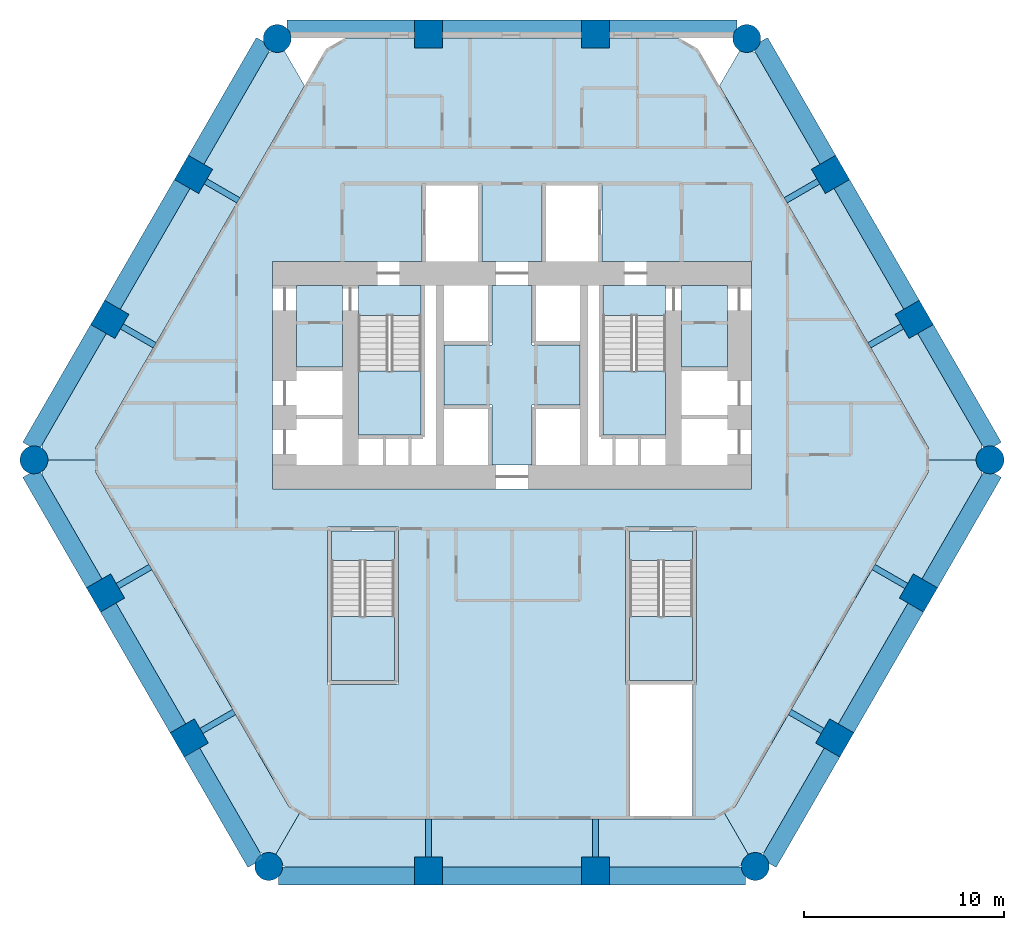
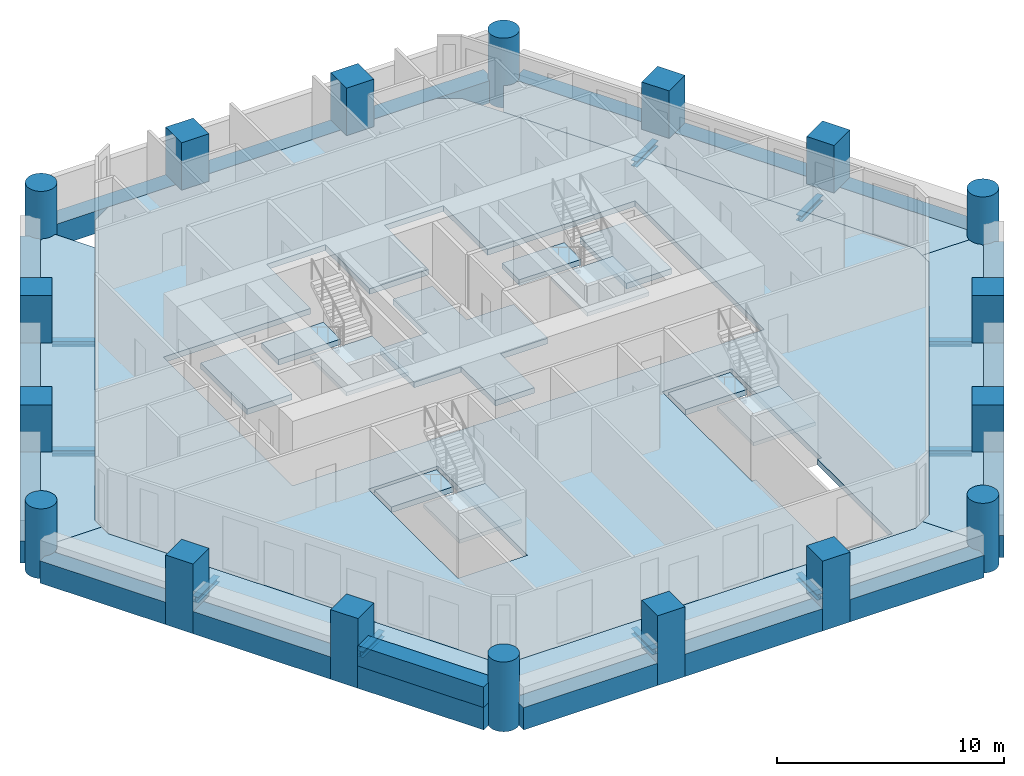
# One storey, part 1 of 8: 28 beams, 18 columns, 17 slabs, 1 wall, 4 elements without a shape of their own.
"""IFC4 building model written with IfcOpenShell, lengths in metres."""

from ifc_helpers import new_model, si_unit, direction, frame, frame_2d, origin, origin_2d, place, context, subcontext, project, spatial, polyline, rectangle, circle, i_section, outline, extrude, material, layer, layer_set, material_profile, profile_set, type_object, element, aggregate, save


model = new_model("IFC4")

# Units and contexts
model_context = context("Model", 3, precision=1e-05, world=origin(), true_north=direction((0.0, 1.0)))
body_context = subcontext(model_context, "Body", "Model", "MODEL_VIEW")
ifc_project = project(units=[si_unit("LENGTHUNIT", "METRE"), si_unit("AREAUNIT", "SQUARE_METRE"), si_unit("VOLUMEUNIT", "CUBIC_METRE"), si_unit("PLANEANGLEUNIT", "RADIAN"), si_unit("MASSUNIT", "GRAM", prefix="KILO")], contexts=[model_context])

# Site, building, storey
site_placement = place(None, origin())
site = spatial("IfcSite", under=ifc_project, at=site_placement, CompositionType="ELEMENT")
building_placement = place(site_placement, origin())
building = spatial("IfcBuilding", under=site, at=building_placement, Name="Ostrander Bayou Hotel Tower", CompositionType="ELEMENT")
storey_placement = place(building_placement, frame((0.0, 0.0, 39.25)))
storey = spatial("IfcBuildingStorey", under=building, at=storey_placement, Name="L09", CompositionType="ELEMENT", Elevation=39.25)

# Columns
ifc_material_1 = material(Name="Concrete f'c 70 MPa", Category="concrete")
ifc_material_profile_1 = material_profile(ifc_material_1, circle(Radius=0.699951171875, at=origin_2d()))
ifc_profile_set_1 = profile_set([ifc_material_profile_1], Name="Concrete f'c 70 MPa")
column_type_1 = type_object("IfcColumnType", Name="C1 round column 1400 mm f'c 70 MPa", PredefinedType="COLUMN", material=ifc_profile_set_1)
for number, where, z_axis, x_axis, name in (
    (1, (-11.76708984375, 20.872314453125, -1.199951171875), (0.0, 0.0, 1.0), (1.0, 0.0, 0.0), "C1 L09 K0"),
    (2, (-23.95947265625, -0.24560546875, -1.199951171875), (0.0, 0.0, 1.0), (1.0, 0.0, 0.0), "C1 L09 K1"),
    (3, (-12.1923828125, -20.626708984375, -1.199951171875), (0.0, 0.0, 1.0), (1.0, 0.0, 0.0), "C1 L09 K2"),
    (4, (12.1923828125, -20.626708984375, -1.199951171875), (0.0, 0.0, 1.0), (1.0, 0.0, 0.0), "C1 L09 K3"),
    (5, (23.95947265625, -0.24560546875, -1.199951171875), (0.0, 0.0, 1.0), (1.0, 0.0, 0.0), "C1 L09 K4"),
    (6, (11.76708984375, 20.872314453125, -1.199951171875), (0.0, 0.0, 1.0), (1.0, 0.0, 0.0), "C1 L09 K5"),
):
    element("IfcColumn", number, at=place(storey_placement, frame(where, z_axis=z_axis, x_axis=x_axis)), inside=storey, type_object=column_type_1, Name=name, PredefinedType="COLUMN", context=body_context, shape_type="SweptSolid", body=[
        extrude(circle(Radius=0.699951171875, at=origin_2d()), origin(), (0.0, 0.0, 1.0), 3.75),
    ])
ifc_material_2 = material(Name="Concrete f'c 70 MPa", Category="concrete")
ifc_material_profile_2 = material_profile(ifc_material_2, rectangle(XDim=1.39990234375, YDim=1.39990234375, at=origin_2d()))
ifc_profile_set_2 = profile_set([ifc_material_profile_2], Name="Concrete f'c 70 MPa")
column_type_2 = type_object("IfcColumnType", Name="C2 square column 1400 x 1400 mm f'c 70 MPa", PredefinedType="COLUMN", material=ifc_profile_set_2)
for number, where, z_axis, x_axis, name in (
    (7, (4.1953125, 21.10009765625, -1.199951171875), (0.0, 0.0, 1.0), (1.0, 0.0, 0.0), "C2 L09 N1"),
    (8, (-4.1953125, 21.10009765625, -1.199951171875), (0.0, 0.0, 1.0), (1.0, 0.0, 0.0), "C2 L09 N2"),
    (9, (-15.962890625, 14.060546875, -1.199951171875), (0.0, 0.0, 1.0), (0.5, 0.866025403784, 0.0), "C2 L09 NW1"),
    (10, (-20.158203125, 6.7939453125, -1.199951171875), (0.0, 0.0, 1.0), (0.5, 0.866025403784, 0.0), "C2 L09 NW2"),
    (11, (-20.370849609375, -6.916748046875, -1.199951171875), (0.0, 0.0, 1.0), (-0.5, 0.866025403784, 0.0), "C2 L09 SW1"),
    (12, (-16.17529296875, -14.183349609375, -1.199951171875), (0.0, 0.0, 1.0), (-0.5, 0.866025403784, 0.0), "C2 L09 SW2"),
    (13, (-4.1953125, -20.8544921875, -1.199951171875), (0.0, 0.0, 1.0), (-1.0, 0.0, 0.0), "C2 L09 S1"),
    (14, (4.1953125, -20.8544921875, -1.199951171875), (0.0, 0.0, 1.0), (-1.0, 0.0, 0.0), "C2 L09 S2"),
    (15, (16.17529296875, -14.183349609375, -1.199951171875), (0.0, 0.0, 1.0), (-0.5, -0.866025403784, 0.0), "C2 L09 SE1"),
    (16, (20.370849609375, -6.916748046875, -1.199951171875), (0.0, 0.0, 1.0), (-0.5, -0.866025403784, 0.0), "C2 L09 SE2"),
    (17, (20.158203125, 6.7939453125, -1.199951171875), (0.0, 0.0, 1.0), (0.5, -0.866025403784, 0.0), "C2 L09 NE1"),
    (18, (15.962890625, 14.060546875, -1.199951171875), (0.0, 0.0, 1.0), (0.5, -0.866025403784, 0.0), "C2 L09 NE2"),
):
    element("IfcColumn", number, at=place(storey_placement, frame(where, z_axis=z_axis, x_axis=x_axis)), inside=storey, type_object=column_type_2, Name=name, PredefinedType="COLUMN", context=body_context, shape_type="SweptSolid", body=[
        extrude(rectangle(XDim=1.39990234375, YDim=1.39990234375, at=origin_2d()), origin(), (0.0, 0.0, 1.0), 3.75),
    ])

# Beams
ifc_material_3 = material(Name="Steel ASTM A992", Category="steel")
ifc_material_profile_3 = material_profile(ifc_material_3, i_section(OverallWidth=0.3046875, OverallDepth=0.307861328125, WebThickness=0.010009765625, FlangeThickness=0.015380859375, at=origin_2d()))
ifc_profile_set_3 = profile_set([ifc_material_profile_3], Name="Steel ASTM A992")
beam_type_1 = type_object("IfcBeamType", Name="LB1 loggia bracket W12x65", PredefinedType="BEAM", material=ifc_profile_set_3)
for number, where, z_axis, x_axis, name in (
    (19, (-15.356689453125, 13.710693359375, -0.453857421875), (0.865988727248, -0.500063520245, 0.0), (0.500063520245, 0.865988727248, 0.0), "LB1 L09 NW1"),
    (20, (-19.552001953125, 6.44384765625, -0.453857421875), (0.866044365799, -0.499967155389, 0.0), (0.499967155389, 0.866044365799, 0.0), "LB1 L09 NW2"),
    (21, (-19.7646484375, -6.566650390625, -0.453857421875), (0.866044365799, 0.499967155389, 0.0), (-0.499967155389, 0.866044365799, 0.0), "LB1 L09 SW1"),
):
    element("IfcBeam", number, at=place(storey_placement, frame(where, z_axis=z_axis, x_axis=x_axis)), inside=storey, type_object=beam_type_1, Name=name, PredefinedType="BEAM", context=body_context, shape_type="SweptSolid", body=[
        extrude(i_section(OverallWidth=0.3046875, OverallDepth=0.307861328125, WebThickness=0.010009765625, FlangeThickness=0.015380859375, at=origin_2d()), origin(), (0.0, 0.0, 1.0), 1.900146484375),
    ])
beam_1_placement = place(storey_placement, frame((-15.569091796875, -13.833251953125, -0.453857421875), z_axis=(0.86601224135, 0.500022797313, 0.0), x_axis=(-0.500022797313, 0.86601224135, 0.0)))
element("IfcBeam", 22, at=beam_1_placement, inside=storey, type_object=beam_type_1, Name="LB1 L09 SW2", PredefinedType="BEAM", context=body_context, shape_type="SweptSolid", body=[
    extrude(i_section(OverallWidth=0.3046875, OverallDepth=0.307861328125, WebThickness=0.010009765625, FlangeThickness=0.015380859375, at=origin_2d()), origin(), (0.0, 0.0, 1.0), 1.89990234375),
])
for number, where, z_axis, x_axis, name in (
    (23, (-4.1953125, -20.154541015625, -0.453857421875), (0.0, 1.0, 0.0), (-1.0, 0.0, 0.0), "LB1 L09 S1"),
    (24, (4.1953125, -20.154541015625, -0.453857421875), (0.0, 1.0, 0.0), (-1.0, 0.0, 0.0), "LB1 L09 S2"),
):
    element("IfcBeam", number, at=place(storey_placement, frame(where, z_axis=z_axis, x_axis=x_axis)), inside=storey, type_object=beam_type_1, Name=name, PredefinedType="BEAM", context=body_context, shape_type="SweptSolid", body=[
        extrude(i_section(OverallWidth=0.3046875, OverallDepth=0.307861328125, WebThickness=0.010009765625, FlangeThickness=0.015380859375, at=origin_2d()), origin(), (0.0, 0.0, 1.0), 1.900146484375),
    ])
beam_2_placement = place(storey_placement, frame((15.569091796875, -13.833251953125, -0.453857421875), z_axis=(-0.86601224135, 0.500022797313, 0.0), x_axis=(-0.500022797313, -0.86601224135, 0.0)))
element("IfcBeam", 25, at=beam_2_placement, inside=storey, type_object=beam_type_1, Name="LB1 L09 SE1", PredefinedType="BEAM", context=body_context, shape_type="SweptSolid", body=[
    extrude(i_section(OverallWidth=0.3046875, OverallDepth=0.307861328125, WebThickness=0.010009765625, FlangeThickness=0.015380859375, at=origin_2d()), origin(), (0.0, 0.0, 1.0), 1.89990234375),
])
for number, where, z_axis, x_axis, name in (
    (26, (19.7646484375, -6.566650390625, -0.453857421875), (-0.866044365799, 0.499967155389, 0.0), (-0.499967155389, -0.866044365799, 0.0), "LB1 L09 SE2"),
    (27, (19.552001953125, 6.44384765625, -0.453857421875), (-0.866044365799, -0.499967155389, 0.0), (0.499967155389, -0.866044365799, 0.0), "LB1 L09 NE1"),
    (28, (15.356689453125, 13.710693359375, -0.453857421875), (-0.865988727248, -0.500063520245, 0.0), (0.500063520245, -0.865988727248, 0.0), "LB1 L09 NE2"),
):
    element("IfcBeam", number, at=place(storey_placement, frame(where, z_axis=z_axis, x_axis=x_axis)), inside=storey, type_object=beam_type_1, Name=name, PredefinedType="BEAM", context=body_context, shape_type="SweptSolid", body=[
        extrude(i_section(OverallWidth=0.3046875, OverallDepth=0.307861328125, WebThickness=0.010009765625, FlangeThickness=0.015380859375, at=origin_2d()), origin(), (0.0, 0.0, 1.0), 1.900146484375),
    ])
ifc_material_4 = material(Name="Concrete f'c 70 MPa", Category="concrete")
ifc_material_profile_4 = material_profile(ifc_material_4, rectangle(XDim=0.89990234375, YDim=1.199951171875, at=origin_2d()))
ifc_profile_set_4 = profile_set([ifc_material_profile_4], Name="Concrete f'c 70 MPa")
beam_type_2 = type_object("IfcBeamType", Name="SP1 spandrel beam 900 x 1200 mm f'c 70 MPa", PredefinedType="SPANDREL", material=ifc_profile_set_4)
beam_3_placement = place(storey_placement, frame((11.285400390625, 21.35009765625, -0.60009765625), z_axis=(-1.0, 0.0, 0.0), x_axis=(0.0, -1.0, 0.0)))
element("IfcBeam", 29, at=beam_3_placement, inside=storey, type_object=beam_type_2, Name="SP1 L09 N-1", PredefinedType="SPANDREL", context=body_context, shape_type="SweptSolid", body=[
    extrude(rectangle(XDim=0.89990234375, YDim=1.199951171875, at=origin_2d()), origin(), (0.0, 0.0, 1.0), 6.419921875),
])
beam_4_placement = place(storey_placement, frame((3.525390625, 21.35009765625, -0.60009765625), z_axis=(-1.0, 0.0, 0.0), x_axis=(0.0, -1.0, 0.0)))
element("IfcBeam", 30, at=beam_4_placement, inside=storey, type_object=beam_type_2, Name="SP1 L09 N-2", PredefinedType="SPANDREL", context=body_context, shape_type="SweptSolid", body=[
    extrude(rectangle(XDim=0.89990234375, YDim=1.199951171875, at=origin_2d()), origin(), (0.0, 0.0, 1.0), 7.05078125),
])
beam_5_placement = place(storey_placement, frame((-4.865478515625, 21.35009765625, -0.60009765625), z_axis=(-1.0, 0.0, 0.0), x_axis=(0.0, -1.0, 0.0)))
element("IfcBeam", 31, at=beam_5_placement, inside=storey, type_object=beam_type_2, Name="SP1 L09 N-3", PredefinedType="SPANDREL", context=body_context, shape_type="SweptSolid", body=[
    extrude(rectangle(XDim=0.89990234375, YDim=1.199951171875, at=origin_2d()), origin(), (0.0, 0.0, 1.0), 6.419921875),
])
beam_6_placement = place(storey_placement, frame((-12.421630859375, 20.694091796875, -0.60009765625), z_axis=(-0.499994135611, -0.866028789565, 0.0), x_axis=(0.866028789565, -0.499994135611, 0.0)))
element("IfcBeam", 32, at=beam_6_placement, inside=storey, type_object=beam_type_2, Name="SP1 L09 NW-1", PredefinedType="SPANDREL", context=body_context, shape_type="SweptSolid", body=[
    extrude(rectangle(XDim=0.89990234375, YDim=1.199951171875, at=origin_2d()), origin(), (0.0, 0.0, 1.0), 6.84521484375),
])
beam_7_placement = place(storey_placement, frame((-16.514404296875, 13.60546875, -0.60009765625), z_axis=(-0.499997206141, -0.866027016814, 0.0), x_axis=(0.866027016814, -0.499997206141, 0.0)))
element("IfcBeam", 33, at=beam_7_placement, inside=storey, type_object=beam_type_2, Name="SP1 L09 NW-2", PredefinedType="SPANDREL", context=body_context, shape_type="SweptSolid", body=[
    extrude(rectangle(XDim=0.89990234375, YDim=1.199951171875, at=origin_2d()), origin(), (0.0, 0.0, 1.0), 7.05078125),
])
beam_8_placement = place(storey_placement, frame((-20.709716796875, 6.338623046875, -0.60009765625), z_axis=(-0.499994135611, -0.866028789565, 0.0), x_axis=(0.866028789565, -0.499994135611, 0.0)))
element("IfcBeam", 34, at=beam_8_placement, inside=storey, type_object=beam_type_2, Name="SP1 L09 NW-3", PredefinedType="SPANDREL", context=body_context, shape_type="SweptSolid", body=[
    extrude(rectangle(XDim=0.89990234375, YDim=1.199951171875, at=origin_2d()), origin(), (0.0, 0.0, 1.0), 6.84521484375),
])
beam_9_placement = place(storey_placement, frame((-24.13232421875, -0.9013671875, -0.60009765625), z_axis=(0.499983599745, -0.866034872269, 0.0), x_axis=(0.866034872269, 0.499983599745, 0.0)))
element("IfcBeam", 35, at=beam_9_placement, inside=storey, type_object=beam_type_2, Name="SP1 L09 SW-1", PredefinedType="SPANDREL", context=body_context, shape_type="SweptSolid", body=[
    extrude(rectangle(XDim=0.89990234375, YDim=1.199951171875, at=origin_2d()), origin(), (0.0, 0.0, 1.0), 6.420166015625),
])
beam_10_placement = place(storey_placement, frame((-20.252197265625, -7.621826171875, -0.60009765625), z_axis=(0.499997206141, -0.866027016814, 0.0), x_axis=(0.866027016814, 0.499997206141, 0.0)))
element("IfcBeam", 36, at=beam_10_placement, inside=storey, type_object=beam_type_2, Name="SP1 L09 SW-2", PredefinedType="SPANDREL", context=body_context, shape_type="SweptSolid", body=[
    extrude(rectangle(XDim=0.89990234375, YDim=1.199951171875, at=origin_2d()), origin(), (0.0, 0.0, 1.0), 7.05078125),
])
beam_11_placement = place(storey_placement, frame((-16.056884765625, -14.888671875, -0.60009765625), z_axis=(0.500000066162, -0.866025365586, 0.0), x_axis=(0.866025365586, 0.500000066162, 0.0)))
element("IfcBeam", 37, at=beam_11_placement, inside=storey, type_object=beam_type_2, Name="SP1 L09 SW-3", PredefinedType="SPANDREL", context=body_context, shape_type="SweptSolid", body=[
    extrude(rectangle(XDim=0.89990234375, YDim=1.199951171875, at=origin_2d()), origin(), (0.0, 0.0, 1.0), 6.419921875),
])
beam_12_placement = place(storey_placement, frame((-11.710693359375, -21.1044921875, -0.60009765625), z_axis=(1.0, 0.0, 0.0), x_axis=(0.0, 1.0, 0.0)))
element("IfcBeam", 38, at=beam_12_placement, inside=storey, type_object=beam_type_2, Name="SP1 L09 S-1", PredefinedType="SPANDREL", context=body_context, shape_type="SweptSolid", body=[
    extrude(rectangle(XDim=0.89990234375, YDim=1.199951171875, at=origin_2d()), origin(), (0.0, 0.0, 1.0), 6.84521484375),
])
beam_13_placement = place(storey_placement, frame((-3.525390625, -21.1044921875, -0.60009765625), z_axis=(1.0, 0.0, 0.0), x_axis=(0.0, 1.0, 0.0)))
element("IfcBeam", 39, at=beam_13_placement, inside=storey, type_object=beam_type_2, Name="SP1 L09 S-2", PredefinedType="SPANDREL", context=body_context, shape_type="SweptSolid", body=[
    extrude(rectangle(XDim=0.89990234375, YDim=1.199951171875, at=origin_2d()), origin(), (0.0, 0.0, 1.0), 7.05078125),
])
beam_14_placement = place(storey_placement, frame((4.865478515625, -21.1044921875, -0.60009765625), z_axis=(1.0, 0.0, 0.0), x_axis=(0.0, 1.0, 0.0)))
element("IfcBeam", 40, at=beam_14_placement, inside=storey, type_object=beam_type_2, Name="SP1 L09 S-3", PredefinedType="SPANDREL", context=body_context, shape_type="SweptSolid", body=[
    extrude(rectangle(XDim=0.89990234375, YDim=1.199951171875, at=origin_2d()), origin(), (0.0, 0.0, 1.0), 6.84521484375),
])
beam_15_placement = place(storey_placement, frame((12.846923828125, -20.448486328125, -0.60009765625), z_axis=(0.500000066162, 0.866025365586, 0.0), x_axis=(-0.866025365586, 0.500000066162, 0.0)))
element("IfcBeam", 41, at=beam_15_placement, inside=storey, type_object=beam_type_2, Name="SP1 L09 SE-1", PredefinedType="SPANDREL", context=body_context, shape_type="SweptSolid", body=[
    extrude(rectangle(XDim=0.89990234375, YDim=1.199951171875, at=origin_2d()), origin(), (0.0, 0.0, 1.0), 6.419921875),
])
beam_16_placement = place(storey_placement, frame((16.726806640625, -13.72802734375, -0.60009765625), z_axis=(0.499997206141, 0.866027016814, 0.0), x_axis=(-0.866027016814, 0.499997206141, 0.0)))
element("IfcBeam", 42, at=beam_16_placement, inside=storey, type_object=beam_type_2, Name="SP1 L09 SE-2", PredefinedType="SPANDREL", context=body_context, shape_type="SweptSolid", body=[
    extrude(rectangle(XDim=0.89990234375, YDim=1.199951171875, at=origin_2d()), origin(), (0.0, 0.0, 1.0), 7.05078125),
])
beam_17_placement = place(storey_placement, frame((20.92236328125, -6.46142578125, -0.60009765625), z_axis=(0.499983599745, 0.866034872269, 0.0), x_axis=(-0.866034872269, 0.499983599745, 0.0)))
element("IfcBeam", 43, at=beam_17_placement, inside=storey, type_object=beam_type_2, Name="SP1 L09 SE-3", PredefinedType="SPANDREL", context=body_context, shape_type="SweptSolid", body=[
    extrude(rectangle(XDim=0.89990234375, YDim=1.199951171875, at=origin_2d()), origin(), (0.0, 0.0, 1.0), 6.420166015625),
])
beam_18_placement = place(storey_placement, frame((24.13232421875, 0.410400390625, -0.60009765625), z_axis=(-0.499994135611, 0.866028789565, 0.0), x_axis=(-0.866028789565, -0.499994135611, 0.0)))
element("IfcBeam", 44, at=beam_18_placement, inside=storey, type_object=beam_type_2, Name="SP1 L09 NE-1", PredefinedType="SPANDREL", context=body_context, shape_type="SweptSolid", body=[
    extrude(rectangle(XDim=0.89990234375, YDim=1.199951171875, at=origin_2d()), origin(), (0.0, 0.0, 1.0), 6.84521484375),
])
beam_19_placement = place(storey_placement, frame((20.039794921875, 7.499267578125, -0.60009765625), z_axis=(-0.499997206141, 0.866027016814, 0.0), x_axis=(-0.866027016814, -0.499997206141, 0.0)))
element("IfcBeam", 45, at=beam_19_placement, inside=storey, type_object=beam_type_2, Name="SP1 L09 NE-2", PredefinedType="SPANDREL", context=body_context, shape_type="SweptSolid", body=[
    extrude(rectangle(XDim=0.89990234375, YDim=1.199951171875, at=origin_2d()), origin(), (0.0, 0.0, 1.0), 7.05078125),
])
beam_20_placement = place(storey_placement, frame((15.84423828125, 14.765869140625, -0.60009765625), z_axis=(-0.499994135611, 0.866028789565, 0.0), x_axis=(-0.866028789565, -0.499994135611, 0.0)))
element("IfcBeam", 46, at=beam_20_placement, inside=storey, type_object=beam_type_2, Name="SP1 L09 NE-3", PredefinedType="SPANDREL", context=body_context, shape_type="SweptSolid", body=[
    extrude(rectangle(XDim=0.89990234375, YDim=1.199951171875, at=origin_2d()), origin(), (0.0, 0.0, 1.0), 6.84521484375),
])

# Slabs
ifc_material_5 = material(Name="Concrete f'c 40 MPa", Category="concrete")
ifc_layer_1 = layer(ifc_material_5, 0.300048828125)
ifc_layer_set_1 = layer_set([ifc_layer_1], Name="SL1 floor slab 300 mm f'c 40 MPa")
slab_type_1 = type_object("IfcSlabType", Name="SL1 floor slab 300 mm f'c 40 MPa", PredefinedType="FLOOR", material=ifc_layer_set_1)
slab_1_placement = place(storey_placement, frame((0.0, 0.0, -0.300048828125)))
element("IfcSlab", 47, at=slab_1_placement, inside=storey, type_object=slab_type_1, Name="SL1 L09 1", PredefinedType="FLOOR", context=body_context, shape_type="SweptSolid", body=[
    extrude(outline(polyline([(-3.525390625, 20.89990234375), (3.525390625, 20.89990234375), (4.865478515625, 20.89990234375), (8.319091796875, 20.89990234375), (9.3583984375, 20.300048828125), (20.873779296875, 0.3544921875), (20.873779296875, -0.845458984375), (11.169189453125, -17.654541015625), (10.1298828125, -18.25439453125), (-10.1298828125, -18.25439453125), (-11.169189453125, -17.654541015625), (-20.873779296875, -0.845458984375), (-20.873779296875, 0.3544921875), (-9.3583984375, 20.300048828125), (-8.319091796875, 20.89990234375), (-4.865478515625, 20.89990234375), (-3.525390625, 20.89990234375)]), holes=[polyline([(-12.0, -1.699951171875), (12.0, -1.699951171875), (12.0, 9.699951171875), (4.5, 9.699951171875), (4.5, 13.60009765625), (1.5, 13.60009765625), (1.5, 9.699951171875), (-1.5, 9.699951171875), (-1.5, 13.60009765625), (-4.5, 13.60009765625), (-4.5, 9.699951171875), (-12.0, 9.699951171875), (-12.0, -1.699951171875)]), polyline([(9.050048828125, -11.5), (9.25, -11.5), (9.25, -3.60009765625), (5.699951171875, -3.60009765625), (5.699951171875, -11.5), (5.89990234375, -11.5), (5.89990234375, -18.1044921875), (9.050048828125, -18.1044921875), (9.050048828125, -11.5)]), polyline([(-5.699951171875, -3.60009765625), (-9.25, -3.60009765625), (-9.25, -11.5), (-5.699951171875, -11.5), (-5.699951171875, -3.60009765625)])]), origin(), (0.0, 0.0, 1.0), 0.300048828125),
])
slab_2_placement = place(storey_placement, frame((0.0, 0.0, -0.300048828125)))
element("IfcSlab", 48, at=slab_2_placement, inside=storey, type_object=slab_type_1, Name="cslab:L09:001", PredefinedType="FLOOR", context=body_context, shape_type="SweptSolid", body=[
    extrude(outline(polyline([(-3.39990234375, 5.5), (-1.0, 5.5), (-1.0, 8.5), (1.0, 8.5), (1.0, 5.5), (3.39990234375, 5.5), (3.39990234375, 2.5), (1.0, 2.5), (1.0, -0.5), (-1.0, -0.5), (-1.0, 2.5), (-3.39990234375, 2.5), (-3.39990234375, 5.5)])), origin(), (0.0, 0.0, 1.0), 0.300048828125),
])
slab_3_placement = place(storey_placement, frame((0.0, 0.0, -0.300048828125)))
element("IfcSlab", 49, at=slab_3_placement, inside=storey, type_object=slab_type_1, Name="cslab:L09:002", PredefinedType="FLOOR", context=body_context, shape_type="SweptSolid", body=[
    extrude(outline(polyline([(-8.5, 4.39990234375), (-8.5, 8.5), (-10.800048828125, 8.5), (-10.800048828125, 4.39990234375), (-8.5, 4.39990234375)])), origin(), (0.0, 0.0, 1.0), 0.300048828125),
])
slab_4_placement = place(storey_placement, frame((0.0, 0.0, -0.300048828125)))
element("IfcSlab", 50, at=slab_4_placement, inside=storey, type_object=slab_type_1, Name="cslab:L09:003", PredefinedType="FLOOR", context=body_context, shape_type="SweptSolid", body=[
    extrude(outline(polyline([(10.800048828125, 4.39990234375), (10.800048828125, 8.5), (8.5, 8.5), (8.5, 4.39990234375), (10.800048828125, 4.39990234375)])), origin(), (0.0, 0.0, 1.0), 0.300048828125),
])
slab_5_placement = place(storey_placement, frame((0.0, 0.0, -0.300048828125)))
element("IfcSlab", 51, at=slab_5_placement, inside=storey, type_object=slab_type_1, Name="cslab:L09:004", PredefinedType="FLOOR", context=body_context, shape_type="SweptSolid", body=[
    extrude(outline(polyline([(-4.550048828125, 7.0), (-4.550048828125, 8.5), (-7.699951171875, 8.5), (-7.699951171875, 7.0), (-4.550048828125, 7.0)])), origin(), (0.0, 0.0, 1.0), 0.300048828125),
])
slab_6_placement = place(storey_placement, frame((0.0, 0.0, -0.300048828125)))
element("IfcSlab", 52, at=slab_6_placement, inside=storey, type_object=slab_type_1, Name="cslab:L09:005", PredefinedType="FLOOR", context=body_context, shape_type="SweptSolid", body=[
    extrude(outline(polyline([(7.699951171875, 7.0), (7.699951171875, 8.5), (4.550048828125, 8.5), (4.550048828125, 7.0), (7.699951171875, 7.0)])), origin(), (0.0, 0.0, 1.0), 0.300048828125),
])
slab_7_placement = place(storey_placement, frame((0.0, 0.0, -0.300048828125)))
element("IfcSlab", 53, at=slab_7_placement, inside=storey, type_object=slab_type_1, Name="cslab:L09:006", PredefinedType="FLOOR", context=body_context, shape_type="SweptSolid", body=[
    extrude(outline(polyline([(9.050048828125, -5.300048828125), (9.050048828125, -3.800048828125), (5.89990234375, -3.800048828125), (5.89990234375, -5.300048828125), (9.050048828125, -5.300048828125)])), origin(), (0.0, 0.0, 1.0), 0.300048828125),
])
slab_8_placement = place(storey_placement, frame((0.0, 0.0, -0.300048828125)))
element("IfcSlab", 54, at=slab_8_placement, inside=storey, type_object=slab_type_1, Name="cslab:L09:007", PredefinedType="FLOOR", context=body_context, shape_type="SweptSolid", body=[
    extrude(outline(polyline([(-5.89990234375, -5.300048828125), (-5.89990234375, -3.800048828125), (-9.050048828125, -3.800048828125), (-9.050048828125, -5.300048828125), (-5.89990234375, -5.300048828125)])), origin(), (0.0, 0.0, 1.0), 0.300048828125),
])
ifc_material_6 = material(Name="Concrete f'c 40 MPa", Category="concrete")
ifc_layer_2 = layer(ifc_material_6, 0.300048828125)
ifc_layer_set_2 = layer_set([ifc_layer_2], Name="SL4 loggia slab 300 mm f'c 40 MPa")
slab_type_2 = type_object("IfcSlabType", Name="SL4 loggia slab 300 mm f'c 40 MPa", PredefinedType="FLOOR", material=ifc_layer_set_2)
slab_9_placement = place(storey_placement, frame((0.0, 0.0, -0.300048828125)))
element("IfcSlab", 55, at=slab_9_placement, inside=storey, type_object=slab_type_2, Name="SL4 LOGGIA L09 NW 1", PredefinedType="FLOOR", context=body_context, shape_type="SweptSolid", body=[
    extrude(outline(polyline([(-23.259521484375, -0.24560546875), (-23.27294921875, -0.10888671875), (-23.312744140625, 0.0224609375), (-23.37744140625, 0.143310546875), (-23.464599609375, 0.24951171875), (-23.55859375, 0.32666015625), (-23.55859375, 0.50439453125), (-12.21630859375, 20.14990234375), (-12.061279296875, 20.239501953125), (-12.034912109375, 20.2255859375), (-11.90380859375, 20.185791015625), (-11.76708984375, 20.172119140625), (-11.630615234375, 20.185791015625), (-11.499267578125, 20.2255859375), (-11.418701171875, 20.2685546875), (-10.3974609375, 18.5), (-20.873779296875, 0.3544921875), (-20.873779296875, -0.24560546875), (-23.259521484375, -0.24560546875)])), origin(), (0.0, 0.0, 1.0), 0.300048828125),
])
slab_10_placement = place(storey_placement, frame((0.0, 0.0, -0.300048828125)))
element("IfcSlab", 56, at=slab_10_placement, inside=storey, type_object=slab_type_2, Name="SL4 LOGGIA L09 SW 1", PredefinedType="FLOOR", context=body_context, shape_type="SweptSolid", body=[
    extrude(outline(polyline([(-10.6494140625, -17.95458984375), (-11.84375, -20.023193359375), (-11.92431640625, -19.97998046875), (-12.055908203125, -19.940185546875), (-12.1923828125, -19.9267578125), (-12.328857421875, -19.940185546875), (-12.460205078125, -19.97998046875), (-12.486328125, -19.993896484375), (-12.641357421875, -19.904541015625), (-15.667236328125, -14.66357421875), (-16.337158203125, -13.503173828125), (-19.862548828125, -7.39697265625), (-20.53271484375, -6.236328125), (-23.55859375, -0.99560546875), (-23.55859375, -0.817626953125), (-23.464599609375, -0.740478515625), (-23.37744140625, -0.634521484375), (-23.312744140625, -0.513427734375), (-23.27294921875, -0.382080078125), (-23.259521484375, -0.24560546875), (-20.873779296875, -0.24560546875), (-20.873779296875, -0.845458984375), (-11.169189453125, -17.654541015625), (-10.6494140625, -17.95458984375)])), origin(), (0.0, 0.0, 1.0), 0.300048828125),
])
slab_11_placement = place(storey_placement, frame((0.0, 0.0, -0.300048828125)))
element("IfcSlab", 57, at=slab_11_placement, inside=storey, type_object=slab_type_2, Name="SL4 LOGGIA L09 S 1", PredefinedType="FLOOR", context=body_context, shape_type="SweptSolid", body=[
    extrude(outline(polyline([(10.6494140625, -17.95458984375), (11.84375, -20.023193359375), (11.803466796875, -20.044677734375), (11.697265625, -20.1318359375), (11.6103515625, -20.23779296875), (11.545654296875, -20.35888671875), (11.505859375, -20.490234375), (11.49853515625, -20.564453125), (11.34228515625, -20.654541015625), (4.865478515625, -20.654541015625), (3.525390625, -20.654541015625), (-3.525390625, -20.654541015625), (-4.865478515625, -20.654541015625), (-11.34228515625, -20.654541015625), (-11.49853515625, -20.564453125), (-11.505859375, -20.490234375), (-11.545654296875, -20.35888671875), (-11.6103515625, -20.23779296875), (-11.697265625, -20.1318359375), (-11.803466796875, -20.044677734375), (-11.84375, -20.023193359375), (-10.6494140625, -17.95458984375), (-10.1298828125, -18.25439453125), (10.1298828125, -18.25439453125), (10.6494140625, -17.95458984375)])), origin(), (0.0, 0.0, 1.0), 0.300048828125),
])
slab_12_placement = place(storey_placement, frame((0.0, 0.0, -0.300048828125)))
element("IfcSlab", 58, at=slab_12_placement, inside=storey, type_object=slab_type_2, Name="SL4 LOGGIA L09 SE 1", PredefinedType="FLOOR", context=body_context, shape_type="SweptSolid", body=[
    extrude(outline(polyline([(20.873779296875, -0.24560546875), (23.259521484375, -0.24560546875), (23.27294921875, -0.382080078125), (23.312744140625, -0.513427734375), (23.37744140625, -0.634521484375), (23.464599609375, -0.740478515625), (23.55859375, -0.817626953125), (23.55859375, -0.99560546875), (20.53271484375, -6.236328125), (19.862548828125, -7.39697265625), (16.337158203125, -13.503173828125), (15.667236328125, -14.66357421875), (12.641357421875, -19.904541015625), (12.486328125, -19.993896484375), (12.460205078125, -19.97998046875), (12.328857421875, -19.940185546875), (12.1923828125, -19.9267578125), (12.055908203125, -19.940185546875), (11.92431640625, -19.97998046875), (11.84375, -20.023193359375), (10.6494140625, -17.95458984375), (11.169189453125, -17.654541015625), (20.873779296875, -0.845458984375), (20.873779296875, -0.24560546875)])), origin(), (0.0, 0.0, 1.0), 0.300048828125),
])
slab_13_placement = place(storey_placement, frame((0.0, 0.0, -0.300048828125)))
element("IfcSlab", 59, at=slab_13_placement, inside=storey, type_object=slab_type_2, Name="SL4 LOGGIA L09 NE 1", PredefinedType="FLOOR", context=body_context, shape_type="SweptSolid", body=[
    extrude(outline(polyline([(11.418701171875, 20.2685546875), (11.499267578125, 20.2255859375), (11.630615234375, 20.185791015625), (11.76708984375, 20.172119140625), (11.90380859375, 20.185791015625), (12.034912109375, 20.2255859375), (12.061279296875, 20.239501953125), (12.21630859375, 20.14990234375), (23.55859375, 0.50439453125), (23.55859375, 0.32666015625), (23.464599609375, 0.24951171875), (23.37744140625, 0.143310546875), (23.312744140625, 0.0224609375), (23.27294921875, -0.10888671875), (23.259521484375, -0.24560546875), (20.873779296875, -0.24560546875), (20.873779296875, 0.3544921875), (10.3974609375, 18.5), (11.418701171875, 20.2685546875)])), origin(), (0.0, 0.0, 1.0), 0.300048828125),
])

# Stair, slab
ifc_material_7 = material(Name="Concrete f'c 45 MPa", Category="concrete")
stair_type = type_object("IfcStairType", Name="ST1 exit stair 1500 mm f'c 45 MPa", PredefinedType="HALF_TURN_STAIR", material=ifc_material_7)
stair_1_placement = place(storey_placement, origin())
stair_1 = element("IfcStair", 60, at=stair_1_placement, inside=storey, type_object=stair_type, Name="L09 exit stair A", PredefinedType="HALF_TURN_STAIR")
ifc_material_8 = material(Name="Concrete f'c 45 MPa", Category="concrete")
ifc_layer_3 = layer(ifc_material_8, 0.199951171875)
ifc_layer_set_3 = layer_set([ifc_layer_3], Name="SL8 stair landing 200 mm f'c 45 MPa")
slab_type_3 = type_object("IfcSlabType", Name="SL8 stair landing 200 mm f'c 45 MPa", PredefinedType="LANDING", material=ifc_layer_set_3)
slab_14_placement = place(storey_placement, frame((0.0, 0.0, 1.675048828125)))
slab_14 = element("IfcSlab", 61, at=slab_14_placement, type_object=slab_type_3, Name="STA landing 1", PredefinedType="LANDING", context=body_context, shape_type="SweptSolid", body=[
    extrude(outline(polyline([(-7.699951171875, 4.199951171875), (-7.699951171875, 1.0), (-4.550048828125, 1.0), (-4.550048828125, 4.199951171875), (-7.699951171875, 4.199951171875)])), origin(), (0.0, 0.0, 1.0), 0.199951171875),
])
aggregate(stair_1, [slab_14])

stair_2_placement = place(storey_placement, origin())
stair_2 = element("IfcStair", 62, at=stair_2_placement, inside=storey, type_object=stair_type, Name="L09 exit stair B", PredefinedType="HALF_TURN_STAIR")
slab_15_placement = place(storey_placement, frame((0.0, 0.0, 1.675048828125)))
slab_15 = element("IfcSlab", 63, at=slab_15_placement, type_object=slab_type_3, Name="STB landing 1", PredefinedType="LANDING", context=body_context, shape_type="SweptSolid", body=[
    extrude(outline(polyline([(4.550048828125, 4.199951171875), (4.550048828125, 1.0), (7.699951171875, 1.0), (7.699951171875, 4.199951171875), (4.550048828125, 4.199951171875)])), origin(), (0.0, 0.0, 1.0), 0.199951171875),
])
aggregate(stair_2, [slab_15])

stair_3_placement = place(storey_placement, origin())
stair_3 = element("IfcStair", 64, at=stair_3_placement, inside=storey, type_object=stair_type, Name="L09 exit stair C", PredefinedType="HALF_TURN_STAIR")
slab_16_placement = place(storey_placement, frame((0.0, 0.0, 1.675048828125)))
slab_16 = element("IfcSlab", 65, at=slab_16_placement, type_object=slab_type_3, Name="STC landing 1", PredefinedType="LANDING", context=body_context, shape_type="SweptSolid", body=[
    extrude(outline(polyline([(5.89990234375, -8.10009765625), (5.89990234375, -11.300048828125), (9.050048828125, -11.300048828125), (9.050048828125, -8.10009765625), (5.89990234375, -8.10009765625)])), origin(), (0.0, 0.0, 1.0), 0.199951171875),
])
aggregate(stair_3, [slab_16])

stair_4_placement = place(storey_placement, origin())
stair_4 = element("IfcStair", 66, at=stair_4_placement, inside=storey, type_object=stair_type, Name="L09 exit stair D", PredefinedType="HALF_TURN_STAIR")
slab_17_placement = place(storey_placement, frame((0.0, 0.0, 1.675048828125)))
slab_17 = element("IfcSlab", 67, at=slab_17_placement, type_object=slab_type_3, Name="STD landing 1", PredefinedType="LANDING", context=body_context, shape_type="SweptSolid", body=[
    extrude(outline(polyline([(-9.050048828125, -8.10009765625), (-9.050048828125, -11.300048828125), (-5.89990234375, -11.300048828125), (-5.89990234375, -8.10009765625), (-9.050048828125, -8.10009765625)])), origin(), (0.0, 0.0, 1.0), 0.199951171875),
])
aggregate(stair_4, [slab_17])

# Wall
ifc_material_9 = material(Name="Limestone masonry", Category="masonry")
ifc_layer_4 = layer(ifc_material_9, 0.89990234375)
ifc_layer_set_4 = layer_set([ifc_layer_4], Name="PA2 limestone parapet 900 mm")
wall_type = type_object("IfcWallType", Name="PA2 limestone parapet 900 mm", PredefinedType="PARAPET", material=ifc_layer_set_4)
wall_placement = place(storey_placement, frame((-16.056884765625, -14.888671875, 0.0), z_axis=(0.0, 0.0, 1.0), x_axis=(0.500000066162, -0.866025365586, 0.0)))
element("IfcWall", 68, at=wall_placement, inside=storey, type_object=wall_type, Name="PA2 L09 SW-3", PredefinedType="PARAPET", context=body_context, shape_type="SweptSolid", body=[
    extrude(rectangle(XDim=6.419921875, YDim=0.89990234375, at=frame_2d((3.2099609375, 0.0))), origin(), (0.0, 0.0, 1.0), 1.10009765625),
])

save(model, "model.ifc")
